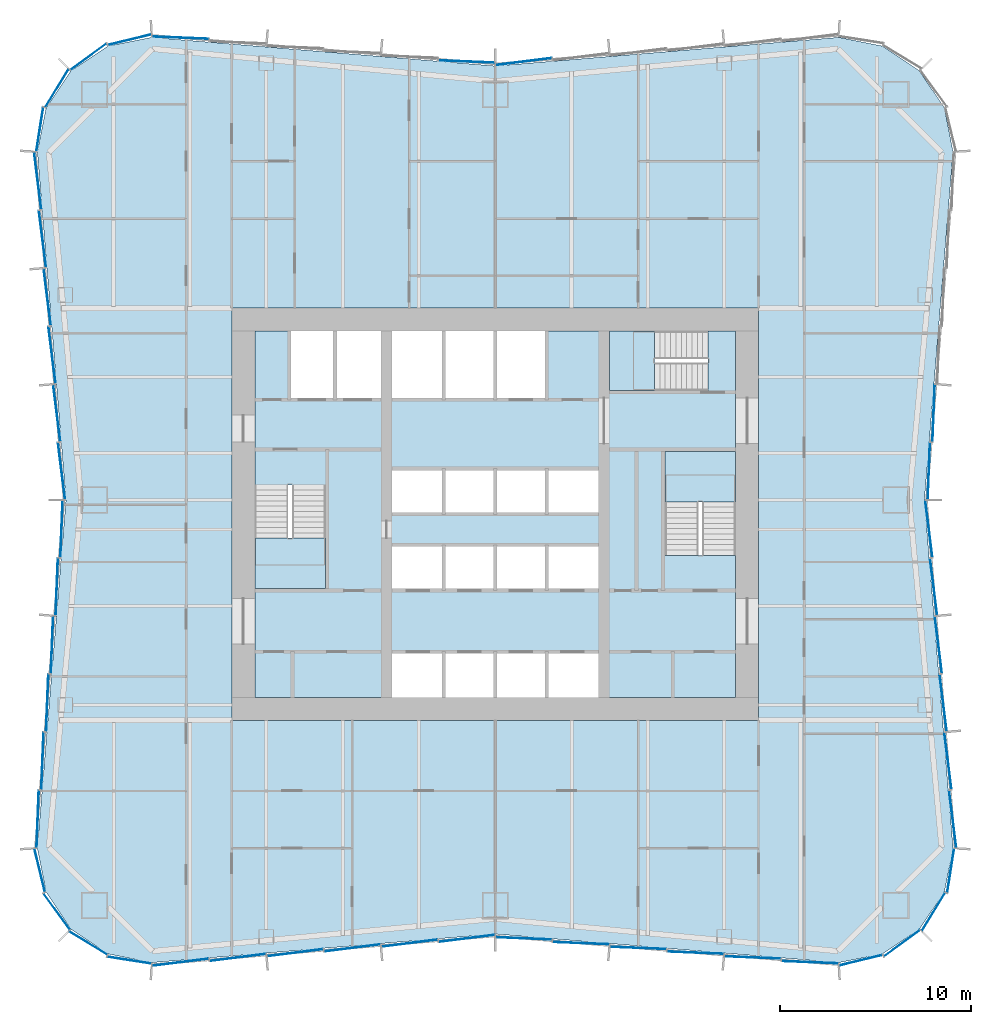
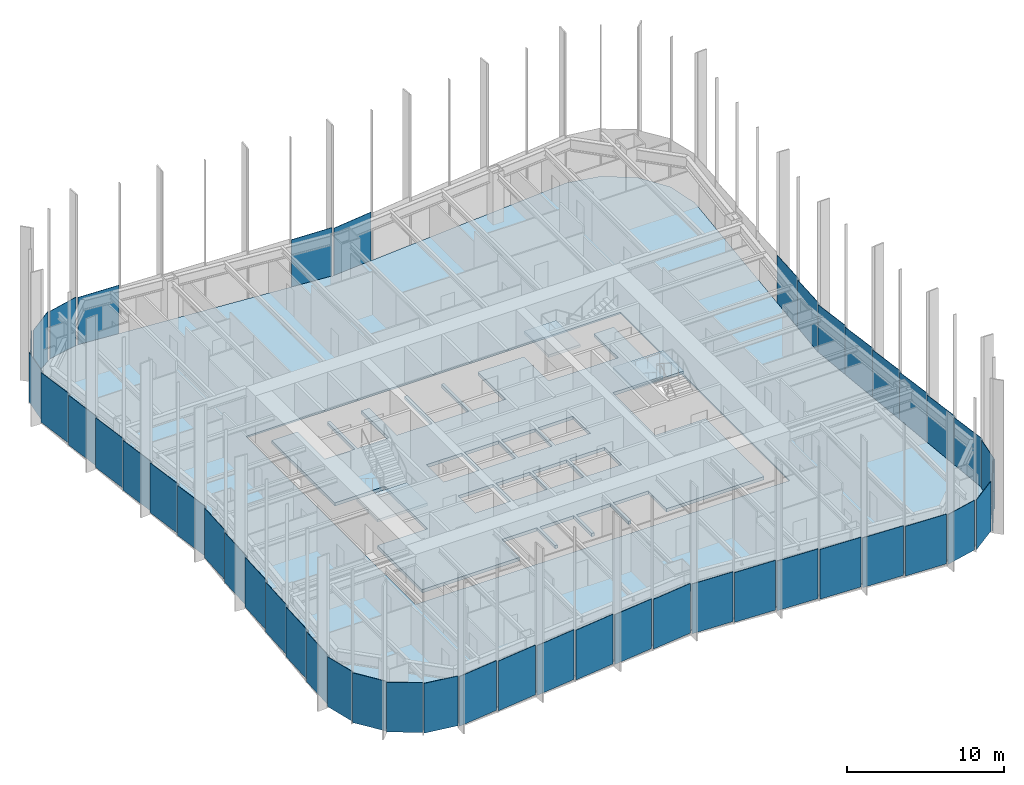
# One storey, part 7 of 13: 47 plates, 5 slabs, 10 elements without a shape of their own.
"""IFC4 building model written with IfcOpenShell, lengths in metres."""

from ifc_helpers import new_model, si_unit, direction, frame, origin, origin_2d, place, context, subcontext, project, spatial, polyline, rectangle, outline, extrude, material, layer, layer_set, type_object, element, aggregate, save


model = new_model("IFC4")

# Units and contexts
model_context = context("Model", 3, precision=1e-05, world=origin(), true_north=direction((0.0, 1.0)))
body_context = subcontext(model_context, "Body", "Model", "MODEL_VIEW")
ifc_project = project(units=[si_unit("LENGTHUNIT", "METRE"), si_unit("AREAUNIT", "SQUARE_METRE"), si_unit("VOLUMEUNIT", "CUBIC_METRE"), si_unit("PLANEANGLEUNIT", "RADIAN"), si_unit("MASSUNIT", "GRAM", prefix="KILO")], contexts=[model_context])

# Site, building, storey
site_placement = place(None, origin())
site = spatial("IfcSite", under=ifc_project, at=site_placement, CompositionType="ELEMENT")
building_placement = place(site_placement, origin())
building = spatial("IfcBuilding", under=site, at=building_placement, Name="Verdant Reach Tower", CompositionType="ELEMENT")
storey_placement = place(building_placement, frame((0.0, 0.0, 70.0)))
storey = spatial("IfcBuildingStorey", under=building, at=storey_placement, Name="L15", CompositionType="ELEMENT", Elevation=70.0)

# Stair, slab
ifc_material_1 = material(Name="Concrete C40/50", Category="concrete")
stair_type = type_object("IfcStairType", Name="CO-STAIR", PredefinedType="HALF_TURN_STAIR", material=ifc_material_1)
stair_1_placement = place(storey_placement, origin())
stair_1 = element("IfcStair", 1, at=stair_1_placement, inside=storey, type_object=stair_type, Name="L15 Exit stair 1", PredefinedType="HALF_TURN_STAIR")
ifc_layer_1 = layer(ifc_material_1, 0.199951171875)
ifc_layer_set_1 = layer_set([ifc_layer_1], Name="CO-STAIR-LANDING")
slab_type_1 = type_object("IfcSlabType", Name="CO-STAIR-LANDING", PredefinedType="LANDING", material=ifc_layer_set_1)
slab_1_placement = place(storey_placement, frame((0.0, 0.0, 1.800048828125)))
slab_1 = element("IfcSlab", 2, at=slab_1_placement, type_object=slab_type_1, Name="ST-1 landing 1", PredefinedType="LANDING", context=body_context, shape_type="SweptSolid", body=[
    extrude(outline(polyline([(-12.60009765625, 26.75), (-12.60009765625, 24.10009765625), (-8.89990234375, 24.10009765625), (-8.89990234375, 26.75), (-12.60009765625, 26.75)])), origin(), (0.0, 0.0, 1.0), 0.199951171875),
])
aggregate(stair_1, [slab_1])

stair_2_placement = place(storey_placement, origin())
stair_2 = element("IfcStair", 3, at=stair_2_placement, inside=storey, type_object=stair_type, Name="L15 Exit stair 2", PredefinedType="HALF_TURN_STAIR")
slab_2_placement = place(storey_placement, frame((0.0, 0.0, 1.800048828125)))
slab_2 = element("IfcSlab", 4, at=slab_2_placement, type_object=slab_type_1, Name="ST-2 landing 1", PredefinedType="LANDING", context=body_context, shape_type="SweptSolid", body=[
    extrude(outline(polyline([(12.60009765625, 28.64990234375), (12.60009765625, 31.300048828125), (8.89990234375, 31.300048828125), (8.89990234375, 28.64990234375), (12.60009765625, 28.64990234375)])), origin(), (0.0, 0.0, 1.0), 0.199951171875),
])
aggregate(stair_2, [slab_2])

stair_3_placement = place(storey_placement, origin())
stair_3 = element("IfcStair", 5, at=stair_3_placement, inside=storey, type_object=stair_type, Name="L15 Exit stair 3", PredefinedType="HALF_TURN_STAIR")
slab_3_placement = place(storey_placement, frame((0.0, 0.0, 1.800048828125)))
slab_3 = element("IfcSlab", 6, at=slab_3_placement, type_object=slab_type_1, Name="ST-3 landing 1", PredefinedType="LANDING", context=body_context, shape_type="SweptSolid", body=[
    extrude(outline(polyline([(8.35009765625, 37.60009765625), (6.0, 37.60009765625), (6.0, 34.5), (8.35009765625, 34.5), (8.35009765625, 37.60009765625)])), origin(), (0.0, 0.0, 1.0), 0.199951171875),
])
aggregate(stair_3, [slab_3])

# Curtain wall, plates
ifc_material_2 = material(Name="Anodised aluminium", Category="aluminium")
curtain_wall_type = type_object("IfcCurtainWallType", Name="EN-CW SYSTEM Z1", PredefinedType="NOTDEFINED", material=ifc_material_2)
curtain_wall_1_placement = place(storey_placement, origin())
curtain_wall_1 = element("IfcCurtainWall", 7, at=curtain_wall_1_placement, inside=storey, type_object=curtain_wall_type, Name="Curtain wall south-east corner, L15", PredefinedType="NOTDEFINED")
ifc_material_3 = material(Name="Tinted glass with champagne spandrel", Category="glass")
ifc_layer_2 = layer(ifc_material_3, 0.031982421875)
ifc_layer_set_2 = layer_set([ifc_layer_2], Name="EN-PANEL CHAMPAGNE")
plate_type_1 = type_object("IfcPlateType", Name="EN-PANEL CHAMPAGNE", PredefinedType="CURTAIN_PANEL", material=ifc_layer_set_2)
plate_1_placement = place(storey_placement, frame((19.170654296875, 4.62939453125, -0.22802734375), z_axis=(0.0, 0.0, 1.0), x_axis=(0.971660685934, 0.236380014828, 0.0)))
plate_1 = element("IfcPlate", 8, at=plate_1_placement, type_object=plate_type_1, Name="Glass panel south-east corner 1.1, L15", PredefinedType="CURTAIN_PANEL", context=body_context, shape_type="SweptSolid", body=[
    extrude(rectangle(XDim=2.317626953125, YDim=0.031982421875, at=origin_2d()), origin(), (0.0, 0.0, 1.0), 3.8779296875),
])
plate_2_placement = place(storey_placement, frame((21.325439453125, 5.52294921875, -0.22802734375), z_axis=(0.0, 0.0, 1.0), x_axis=(0.807456753161, 0.589926768145, 0.0)))
plate_2 = element("IfcPlate", 9, at=plate_2_placement, type_object=plate_type_1, Name="Glass panel south-east corner 2.1, L15", PredefinedType="CURTAIN_PANEL", context=body_context, shape_type="SweptSolid", body=[
    extrude(rectangle(XDim=2.3232421875, YDim=0.031982421875, at=origin_2d()), origin(), (0.0, 0.0, 1.0), 3.8779296875),
])

curtain_wall_2_placement = place(storey_placement, origin())
curtain_wall_2 = element("IfcCurtainWall", 10, at=curtain_wall_2_placement, inside=storey, type_object=curtain_wall_type, Name="Curtain wall east, L15", PredefinedType="NOTDEFINED")
plate_3_placement = place(storey_placement, frame((22.727783203125, 27.2333984375, -0.22802734375), z_axis=(0.0, 0.0, 1.0), x_axis=(-0.123691487663, 0.992320722287, 0.0)))
plate_3 = element("IfcPlate", 11, at=plate_3_placement, type_object=plate_type_1, Name="Glass panel east face part 1 6.1, L15", PredefinedType="CURTAIN_PANEL", context=body_context, shape_type="SweptSolid", body=[
    extrude(rectangle(XDim=2.985595703125, YDim=0.031982421875, at=origin_2d()), origin(), (0.0, 0.0, 1.0), 3.8779296875),
])
plate_4_placement = place(storey_placement, frame((22.727783203125, 30.2666015625, -0.22802734375), z_axis=(0.0, 0.0, 1.0), x_axis=(0.040222426271, 0.99919075077, 0.0)))
plate_4 = element("IfcPlate", 12, at=plate_4_placement, type_object=plate_type_1, Name="Glass panel east face part 2 1.1, L15", PredefinedType="CURTAIN_PANEL", context=body_context, shape_type="SweptSolid", body=[
    extrude(rectangle(XDim=2.985595703125, YDim=0.031982421875, at=origin_2d()), origin(), (0.0, 0.0, 1.0), 3.8779296875),
])

curtain_wall_3_placement = place(storey_placement, origin())
curtain_wall_3 = element("IfcCurtainWall", 13, at=curtain_wall_3_placement, inside=storey, type_object=curtain_wall_type, Name="Curtain wall north, L15", PredefinedType="NOTDEFINED")
plate_5_placement = place(storey_placement, frame((1.49560546875, 51.727783203125, -0.22802734375), z_axis=(0.0, 0.0, 1.0), x_axis=(-0.992179247355, -0.124821236644, 0.0)))
plate_5 = element("IfcPlate", 14, at=plate_5_placement, type_object=plate_type_1, Name="Glass panel north face part 1 6.1, L15", PredefinedType="CURTAIN_PANEL", context=body_context, shape_type="SweptSolid", body=[
    extrude(rectangle(XDim=2.94384765625, YDim=0.031982421875, at=origin_2d()), origin(), (0.0, 0.0, 1.0), 3.8779296875),
])
plate_6_placement = place(storey_placement, frame((-16.49853515625, 52.977783203125, -0.22802734375), z_axis=(0.0, 0.0, 1.0), x_axis=(-0.999162836679, 0.040909971885, 0.0)))
plate_6 = element("IfcPlate", 15, at=plate_6_placement, type_object=plate_type_1, Name="Glass panel north face part 2 6.1, L15", PredefinedType="CURTAIN_PANEL", context=body_context, shape_type="SweptSolid", body=[
    extrude(rectangle(XDim=2.966796875, YDim=0.031982421875, at=origin_2d()), origin(), (0.0, 0.0, 1.0), 3.8779296875),
])

# Curtain wall, plate
curtain_wall_4_placement = place(storey_placement, origin())
curtain_wall_4 = element("IfcCurtainWall", 16, at=curtain_wall_4_placement, inside=storey, type_object=curtain_wall_type, Name="Curtain wall north-west corner, L15", PredefinedType="NOTDEFINED")
plate_7_placement = place(storey_placement, frame((-23.87060546875, 48.170654296875, -0.22802734375), z_axis=(0.0, 0.0, 1.0), x_axis=(-0.154247912016, -0.988032176419, 0.0)))
plate_7 = element("IfcPlate", 17, at=plate_7_placement, type_object=plate_type_1, Name="Glass panel north-west corner 4.1, L15", PredefinedType="CURTAIN_PANEL", context=body_context, shape_type="SweptSolid", body=[
    extrude(rectangle(XDim=2.3173828125, YDim=0.031982421875, at=origin_2d()), origin(), (0.0, 0.0, 1.0), 3.8779296875),
])

# Curtain wall, plates
curtain_wall_5_placement = place(storey_placement, origin())
curtain_wall_5 = element("IfcCurtainWall", 18, at=curtain_wall_5_placement, inside=storey, type_object=curtain_wall_type, Name="Curtain wall west, L15", PredefinedType="NOTDEFINED")
plate_8_placement = place(storey_placement, frame((-23.7275390625, 42.428955078125, -0.22802734375), z_axis=(0.0, 0.0, 1.0), x_axis=(0.123578623975, -0.992334784081, 0.0)))
plate_8 = element("IfcPlate", 19, at=plate_8_placement, type_object=plate_type_1, Name="Glass panel west face part 1 2.1, L15", PredefinedType="CURTAIN_PANEL", context=body_context, shape_type="SweptSolid", body=[
    extrude(rectangle(XDim=2.993896484375, YDim=0.031982421875, at=origin_2d()), origin(), (0.0, 0.0, 1.0), 3.8779296875),
])
plate_9_placement = place(storey_placement, frame((-23.4775390625, 39.387451171875, -0.22802734375), z_axis=(0.0, 0.0, 1.0), x_axis=(0.123578623975, -0.992334784081, 0.0)))
plate_9 = element("IfcPlate", 20, at=plate_9_placement, type_object=plate_type_1, Name="Glass panel west face part 1 3.1, L15", PredefinedType="CURTAIN_PANEL", context=body_context, shape_type="SweptSolid", body=[
    extrude(rectangle(XDim=2.993896484375, YDim=0.031982421875, at=origin_2d()), origin(), (0.0, 0.0, 1.0), 3.8779296875),
])
plate_10_placement = place(storey_placement, frame((-23.2275390625, 36.345703125, -0.22802734375), z_axis=(0.0, 0.0, 1.0), x_axis=(0.123578623975, -0.992334784081, 0.0)))
plate_10 = element("IfcPlate", 21, at=plate_10_placement, type_object=plate_type_1, Name="Glass panel west face part 1 4.1, L15", PredefinedType="CURTAIN_PANEL", context=body_context, shape_type="SweptSolid", body=[
    extrude(rectangle(XDim=2.993896484375, YDim=0.031982421875, at=origin_2d()), origin(), (0.0, 0.0, 1.0), 3.8779296875),
])
plate_11_placement = place(storey_placement, frame((-23.4775390625, 18.112548828125, -0.22802734375), z_axis=(0.0, 0.0, 1.0), x_axis=(-0.040108781752, -0.999195319057, 0.0)))
plate_11 = element("IfcPlate", 22, at=plate_11_placement, type_object=plate_type_1, Name="Glass panel west face part 2 4.1, L15", PredefinedType="CURTAIN_PANEL", context=body_context, shape_type="SweptSolid", body=[
    extrude(rectangle(XDim=2.993896484375, YDim=0.031982421875, at=origin_2d()), origin(), (0.0, 0.0, 1.0), 3.8779296875),
])
plate_12_placement = place(storey_placement, frame((-23.7275390625, 15.071044921875, -0.22802734375), z_axis=(0.0, 0.0, 1.0), x_axis=(-0.040108781752, -0.999195319057, 0.0)))
plate_12 = element("IfcPlate", 23, at=plate_12_placement, type_object=plate_type_1, Name="Glass panel west face part 2 5.1, L15", PredefinedType="CURTAIN_PANEL", context=body_context, shape_type="SweptSolid", body=[
    extrude(rectangle(XDim=2.993896484375, YDim=0.031982421875, at=origin_2d()), origin(), (0.0, 0.0, 1.0), 3.8779296875),
])

curtain_wall_6_placement = place(storey_placement, origin())
curtain_wall_6 = element("IfcCurtainWall", 24, at=curtain_wall_6_placement, inside=storey, type_object=curtain_wall_type, Name="Curtain wall south-west corner, L15", PredefinedType="NOTDEFINED")
plate_13_placement = place(storey_placement, frame((-22.97705078125, 7.174560546875, -0.22802734375), z_axis=(0.0, 0.0, 1.0), x_axis=(0.589926768145, -0.807456753161, 0.0)))
plate_13 = element("IfcPlate", 25, at=plate_13_placement, type_object=plate_type_1, Name="Glass panel south-west corner 2.1, L15", PredefinedType="CURTAIN_PANEL", context=body_context, shape_type="SweptSolid", body=[
    extrude(rectangle(XDim=2.3232421875, YDim=0.031982421875, at=origin_2d()), origin(), (0.0, 0.0, 1.0), 3.8779296875),
])
plate_14_placement = place(storey_placement, frame((-21.325439453125, 5.52294921875, -0.22802734375), z_axis=(0.0, 0.0, 1.0), x_axis=(0.85398868836, -0.520291572248, 0.0)))
plate_14 = element("IfcPlate", 26, at=plate_14_placement, type_object=plate_type_1, Name="Glass panel south-west corner 3.1, L15", PredefinedType="CURTAIN_PANEL", context=body_context, shape_type="SweptSolid", body=[
    extrude(rectangle(XDim=2.3232421875, YDim=0.031982421875, at=origin_2d()), origin(), (0.0, 0.0, 1.0), 3.8779296875),
])
plate_15_placement = place(storey_placement, frame((-19.170654296875, 4.62939453125, -0.22802734375), z_axis=(0.0, 0.0, 1.0), x_axis=(0.988032704995, -0.154244526195, 0.0)))
plate_15 = element("IfcPlate", 27, at=plate_15_placement, type_object=plate_type_1, Name="Glass panel south-west corner 4.1, L15", PredefinedType="CURTAIN_PANEL", context=body_context, shape_type="SweptSolid", body=[
    extrude(rectangle(XDim=2.317626953125, YDim=0.031982421875, at=origin_2d()), origin(), (0.0, 0.0, 1.0), 3.8779296875),
])

curtain_wall_7_placement = place(storey_placement, origin())
curtain_wall_7 = element("IfcCurtainWall", 28, at=curtain_wall_7_placement, inside=storey, type_object=curtain_wall_type, Name="Curtain wall south, L15", PredefinedType="NOTDEFINED")
plate_16_placement = place(storey_placement, frame((-16.49853515625, 4.522216796875, -0.22802734375), z_axis=(0.0, 0.0, 1.0), x_axis=(0.99223537376, 0.124374286167, 0.0)))
plate_16 = element("IfcPlate", 29, at=plate_16_placement, type_object=plate_type_1, Name="Glass panel south face part 1 1.1, L15", PredefinedType="CURTAIN_PANEL", context=body_context, shape_type="SweptSolid", body=[
    extrude(rectangle(XDim=2.966796875, YDim=0.031982421875, at=origin_2d()), origin(), (0.0, 0.0, 1.0), 3.8779296875),
])
plate_17_placement = place(storey_placement, frame((-13.491455078125, 4.7724609375, -0.22802734375), z_axis=(0.0, 0.0, 1.0), x_axis=(0.992194034542, 0.124703639961, 0.0)))
plate_17 = element("IfcPlate", 30, at=plate_17_placement, type_object=plate_type_1, Name="Glass panel south face part 1 2.1, L15", PredefinedType="CURTAIN_PANEL", context=body_context, shape_type="SweptSolid", body=[
    extrude(rectangle(XDim=2.952392578125, YDim=0.031982421875, at=origin_2d()), origin(), (0.0, 0.0, 1.0), 3.8779296875),
])
plate_18_placement = place(storey_placement, frame((4.491455078125, 5.5224609375, -0.22802734375), z_axis=(0.0, 0.0, 1.0), x_axis=(0.999149202059, -0.041241629766, 0.0)))
plate_18 = element("IfcPlate", 31, at=plate_18_placement, type_object=plate_type_1, Name="Glass panel south face part 2 2.1, L15", PredefinedType="CURTAIN_PANEL", context=body_context, shape_type="SweptSolid", body=[
    extrude(rectangle(XDim=2.952392578125, YDim=0.031982421875, at=origin_2d()), origin(), (0.0, 0.0, 1.0), 3.8779296875),
])
plate_19_placement = place(storey_placement, frame((7.491455078125, 5.2724609375, -0.22802734375), z_axis=(0.0, 0.0, 1.0), x_axis=(0.999149202059, -0.041241629766, 0.0)))
plate_19 = element("IfcPlate", 32, at=plate_19_placement, type_object=plate_type_1, Name="Glass panel south face part 2 3.1, L15", PredefinedType="CURTAIN_PANEL", context=body_context, shape_type="SweptSolid", body=[
    extrude(rectangle(XDim=2.952392578125, YDim=0.031982421875, at=origin_2d()), origin(), (0.0, 0.0, 1.0), 3.8779296875),
])

# Plate
ifc_material_4 = material(Name="Tinted glass with copper spandrel", Category="glass")
ifc_layer_3 = layer(ifc_material_4, 0.031982421875)
ifc_layer_set_3 = layer_set([ifc_layer_3], Name="EN-PANEL COPPER")
plate_type_2 = type_object("IfcPlateType", Name="EN-PANEL COPPER", PredefinedType="CURTAIN_PANEL", material=ifc_layer_set_3)
plate_20_placement = place(storey_placement, frame((22.97705078125, 7.174560546875, -0.22802734375), z_axis=(0.0, 0.0, 1.0), x_axis=(0.520291572248, 0.85398868836, 0.0)))
plate_20 = element("IfcPlate", 33, at=plate_20_placement, type_object=plate_type_2, Name="Glass panel south-east corner 3.1, L15", PredefinedType="CURTAIN_PANEL", context=body_context, shape_type="SweptSolid", body=[
    extrude(rectangle(XDim=2.3232421875, YDim=0.031982421875, at=origin_2d()), origin(), (0.0, 0.0, 1.0), 3.8779296875),
])

plate_21_placement = place(storey_placement, frame((23.87060546875, 9.329345703125, -0.22802734375), z_axis=(0.0, 0.0, 1.0), x_axis=(0.154247912016, 0.988032176419, 0.0)))
plate_21 = element("IfcPlate", 34, at=plate_21_placement, type_object=plate_type_2, Name="Glass panel south-east corner 4.1, L15", PredefinedType="CURTAIN_PANEL", context=body_context, shape_type="SweptSolid", body=[
    extrude(rectangle(XDim=2.3173828125, YDim=0.031982421875, at=origin_2d()), origin(), (0.0, 0.0, 1.0), 3.8779296875),
])

aggregate(curtain_wall_1, [plate_1, plate_2, plate_20, plate_21])

plate_22_placement = place(storey_placement, frame((23.977783203125, 12.022216796875, -0.22802734375), z_axis=(0.0, 0.0, 1.0), x_axis=(-0.123256305275, 0.992374870304, 0.0)))
plate_22 = element("IfcPlate", 35, at=plate_22_placement, type_object=plate_type_2, Name="Glass panel east face part 1 1.1, L15", PredefinedType="CURTAIN_PANEL", context=body_context, shape_type="SweptSolid", body=[
    extrude(rectangle(XDim=3.00830078125, YDim=0.031982421875, at=origin_2d()), origin(), (0.0, 0.0, 1.0), 3.8779296875),
])

plate_23_placement = place(storey_placement, frame((23.7275390625, 15.071044921875, -0.22802734375), z_axis=(0.0, 0.0, 1.0), x_axis=(-0.123578623975, 0.992334784081, 0.0)))
plate_23 = element("IfcPlate", 36, at=plate_23_placement, type_object=plate_type_2, Name="Glass panel east face part 1 2.1, L15", PredefinedType="CURTAIN_PANEL", context=body_context, shape_type="SweptSolid", body=[
    extrude(rectangle(XDim=2.993896484375, YDim=0.031982421875, at=origin_2d()), origin(), (0.0, 0.0, 1.0), 3.8779296875),
])

plate_24_placement = place(storey_placement, frame((22.9775390625, 33.303955078125, -0.22802734375), z_axis=(0.0, 0.0, 1.0), x_axis=(0.040108781752, 0.999195319057, 0.0)))
plate_24 = element("IfcPlate", 37, at=plate_24_placement, type_object=plate_type_2, Name="Glass panel east face part 2 2.1, L15", PredefinedType="CURTAIN_PANEL", context=body_context, shape_type="SweptSolid", body=[
    extrude(rectangle(XDim=2.993896484375, YDim=0.031982421875, at=origin_2d()), origin(), (0.0, 0.0, 1.0), 3.8779296875),
])

plate_25_placement = place(storey_placement, frame((-1.49560546875, 51.727783203125, -0.22802734375), z_axis=(0.0, 0.0, 1.0), x_axis=(-0.99914430697, 0.041360051381, 0.0)))
plate_25 = element("IfcPlate", 38, at=plate_25_placement, type_object=plate_type_2, Name="Glass panel north face part 2 1.1, L15", PredefinedType="CURTAIN_PANEL", context=body_context, shape_type="SweptSolid", body=[
    extrude(rectangle(XDim=2.94384765625, YDim=0.031982421875, at=origin_2d()), origin(), (0.0, 0.0, 1.0), 3.8779296875),
])

aggregate(curtain_wall_3, [plate_5, plate_25, plate_6])

plate_26_placement = place(storey_placement, frame((-19.170654296875, 52.87060546875, -0.22802734375), z_axis=(0.0, 0.0, 1.0), x_axis=(-0.971660685934, -0.236380014828, 0.0)))
plate_26 = element("IfcPlate", 39, at=plate_26_placement, type_object=plate_type_2, Name="Glass panel north-west corner 1.1, L15", PredefinedType="CURTAIN_PANEL", context=body_context, shape_type="SweptSolid", body=[
    extrude(rectangle(XDim=2.317626953125, YDim=0.031982421875, at=origin_2d()), origin(), (0.0, 0.0, 1.0), 3.8779296875),
])

plate_27_placement = place(storey_placement, frame((-22.9775390625, 33.303955078125, -0.22802734375), z_axis=(0.0, 0.0, 1.0), x_axis=(0.123578623975, -0.992334784081, 0.0)))
plate_27 = element("IfcPlate", 40, at=plate_27_placement, type_object=plate_type_2, Name="Glass panel west face part 1 5.1, L15", PredefinedType="CURTAIN_PANEL", context=body_context, shape_type="SweptSolid", body=[
    extrude(rectangle(XDim=2.993896484375, YDim=0.031982421875, at=origin_2d()), origin(), (0.0, 0.0, 1.0), 3.8779296875),
])

plate_28_placement = place(storey_placement, frame((-22.727783203125, 30.2666015625, -0.22802734375), z_axis=(0.0, 0.0, 1.0), x_axis=(0.123691487663, -0.992320722287, 0.0)))
plate_28 = element("IfcPlate", 41, at=plate_28_placement, type_object=plate_type_2, Name="Glass panel west face part 1 6.1, L15", PredefinedType="CURTAIN_PANEL", context=body_context, shape_type="SweptSolid", body=[
    extrude(rectangle(XDim=2.985595703125, YDim=0.031982421875, at=origin_2d()), origin(), (0.0, 0.0, 1.0), 3.8779296875),
])

plate_29_placement = place(storey_placement, frame((-23.977783203125, 12.022216796875, -0.22802734375), z_axis=(0.0, 0.0, 1.0), x_axis=(-0.039784239139, -0.999208293759, 0.0)))
plate_29 = element("IfcPlate", 42, at=plate_29_placement, type_object=plate_type_2, Name="Glass panel west face part 2 6.1, L15", PredefinedType="CURTAIN_PANEL", context=body_context, shape_type="SweptSolid", body=[
    extrude(rectangle(XDim=3.00830078125, YDim=0.031982421875, at=origin_2d()), origin(), (0.0, 0.0, 1.0), 3.8779296875),
])

plate_30_placement = place(storey_placement, frame((-10.491455078125, 5.0224609375, -0.22802734375), z_axis=(0.0, 0.0, 1.0), x_axis=(0.992194034542, 0.124703639961, 0.0)))
plate_30 = element("IfcPlate", 43, at=plate_30_placement, type_object=plate_type_2, Name="Glass panel south face part 1 3.1, L15", PredefinedType="CURTAIN_PANEL", context=body_context, shape_type="SweptSolid", body=[
    extrude(rectangle(XDim=2.952392578125, YDim=0.031982421875, at=origin_2d()), origin(), (0.0, 0.0, 1.0), 3.8779296875),
])

plate_31_placement = place(storey_placement, frame((-7.491455078125, 5.2724609375, -0.22802734375), z_axis=(0.0, 0.0, 1.0), x_axis=(0.992194034542, 0.124703639961, 0.0)))
plate_31 = element("IfcPlate", 44, at=plate_31_placement, type_object=plate_type_2, Name="Glass panel south face part 1 4.1, L15", PredefinedType="CURTAIN_PANEL", context=body_context, shape_type="SweptSolid", body=[
    extrude(rectangle(XDim=2.952392578125, YDim=0.031982421875, at=origin_2d()), origin(), (0.0, 0.0, 1.0), 3.8779296875),
])

plate_32_placement = place(storey_placement, frame((10.491455078125, 5.0224609375, -0.22802734375), z_axis=(0.0, 0.0, 1.0), x_axis=(0.999149202059, -0.041241629766, 0.0)))
plate_32 = element("IfcPlate", 45, at=plate_32_placement, type_object=plate_type_2, Name="Glass panel south face part 2 4.1, L15", PredefinedType="CURTAIN_PANEL", context=body_context, shape_type="SweptSolid", body=[
    extrude(rectangle(XDim=2.952392578125, YDim=0.031982421875, at=origin_2d()), origin(), (0.0, 0.0, 1.0), 3.8779296875),
])

plate_33_placement = place(storey_placement, frame((13.491455078125, 4.7724609375, -0.22802734375), z_axis=(0.0, 0.0, 1.0), x_axis=(0.999149202059, -0.041241629766, 0.0)))
plate_33 = element("IfcPlate", 46, at=plate_33_placement, type_object=plate_type_2, Name="Glass panel south face part 2 5.1, L15", PredefinedType="CURTAIN_PANEL", context=body_context, shape_type="SweptSolid", body=[
    extrude(rectangle(XDim=2.952392578125, YDim=0.031982421875, at=origin_2d()), origin(), (0.0, 0.0, 1.0), 3.8779296875),
])

plate_34_placement = place(storey_placement, frame((16.49853515625, 4.522216796875, -0.22802734375), z_axis=(0.0, 0.0, 1.0), x_axis=(0.999162836679, -0.040909971885, 0.0)))
plate_34 = element("IfcPlate", 47, at=plate_34_placement, type_object=plate_type_2, Name="Glass panel south face part 2 6.1, L15", PredefinedType="CURTAIN_PANEL", context=body_context, shape_type="SweptSolid", body=[
    extrude(rectangle(XDim=2.966796875, YDim=0.031982421875, at=origin_2d()), origin(), (0.0, 0.0, 1.0), 3.8779296875),
])

ifc_material_5 = material(Name="Tinted glass with dark bronze spandrel", Category="glass")
ifc_layer_4 = layer(ifc_material_5, 0.031982421875)
ifc_layer_set_4 = layer_set([ifc_layer_4], Name="EN-PANEL DARK")
plate_type_3 = type_object("IfcPlateType", Name="EN-PANEL DARK", PredefinedType="CURTAIN_PANEL", material=ifc_layer_set_4)
plate_35_placement = place(storey_placement, frame((23.4775390625, 18.112548828125, -0.22802734375), z_axis=(0.0, 0.0, 1.0), x_axis=(-0.123578623975, 0.992334784081, 0.0)))
plate_35 = element("IfcPlate", 48, at=plate_35_placement, type_object=plate_type_3, Name="Glass panel east face part 1 3.1, L15", PredefinedType="CURTAIN_PANEL", context=body_context, shape_type="SweptSolid", body=[
    extrude(rectangle(XDim=2.993896484375, YDim=0.031982421875, at=origin_2d()), origin(), (0.0, 0.0, 1.0), 3.8779296875),
])

plate_36_placement = place(storey_placement, frame((23.2275390625, 21.154296875, -0.22802734375), z_axis=(0.0, 0.0, 1.0), x_axis=(-0.123578623975, 0.992334784081, 0.0)))
plate_36 = element("IfcPlate", 49, at=plate_36_placement, type_object=plate_type_3, Name="Glass panel east face part 1 4.1, L15", PredefinedType="CURTAIN_PANEL", context=body_context, shape_type="SweptSolid", body=[
    extrude(rectangle(XDim=2.993896484375, YDim=0.031982421875, at=origin_2d()), origin(), (0.0, 0.0, 1.0), 3.8779296875),
])

plate_37_placement = place(storey_placement, frame((22.9775390625, 24.196044921875, -0.22802734375), z_axis=(0.0, 0.0, 1.0), x_axis=(-0.123578623975, 0.992334784081, 0.0)))
plate_37 = element("IfcPlate", 50, at=plate_37_placement, type_object=plate_type_3, Name="Glass panel east face part 1 5.1, L15", PredefinedType="CURTAIN_PANEL", context=body_context, shape_type="SweptSolid", body=[
    extrude(rectangle(XDim=2.993896484375, YDim=0.031982421875, at=origin_2d()), origin(), (0.0, 0.0, 1.0), 3.8779296875),
])

aggregate(curtain_wall_2, [plate_22, plate_23, plate_35, plate_36, plate_37, plate_3, plate_4, plate_24])

plate_38_placement = place(storey_placement, frame((-21.325439453125, 51.97705078125, -0.22802734375), z_axis=(0.0, 0.0, 1.0), x_axis=(-0.807456753161, -0.589926768145, 0.0)))
plate_38 = element("IfcPlate", 51, at=plate_38_placement, type_object=plate_type_3, Name="Glass panel north-west corner 2.1, L15", PredefinedType="CURTAIN_PANEL", context=body_context, shape_type="SweptSolid", body=[
    extrude(rectangle(XDim=2.3232421875, YDim=0.031982421875, at=origin_2d()), origin(), (0.0, 0.0, 1.0), 3.8779296875),
])

plate_39_placement = place(storey_placement, frame((-22.97705078125, 50.325439453125, -0.22802734375), z_axis=(0.0, 0.0, 1.0), x_axis=(-0.520291572248, -0.85398868836, 0.0)))
plate_39 = element("IfcPlate", 52, at=plate_39_placement, type_object=plate_type_3, Name="Glass panel north-west corner 3.1, L15", PredefinedType="CURTAIN_PANEL", context=body_context, shape_type="SweptSolid", body=[
    extrude(rectangle(XDim=2.3232421875, YDim=0.031982421875, at=origin_2d()), origin(), (0.0, 0.0, 1.0), 3.8779296875),
])

aggregate(curtain_wall_4, [plate_26, plate_38, plate_39, plate_7])

plate_40_placement = place(storey_placement, frame((-23.977783203125, 45.477783203125, -0.22802734375), z_axis=(0.0, 0.0, 1.0), x_axis=(0.123256305275, -0.992374870304, 0.0)))
plate_40 = element("IfcPlate", 53, at=plate_40_placement, type_object=plate_type_3, Name="Glass panel west face part 1 1.1, L15", PredefinedType="CURTAIN_PANEL", context=body_context, shape_type="SweptSolid", body=[
    extrude(rectangle(XDim=3.00830078125, YDim=0.031982421875, at=origin_2d()), origin(), (0.0, 0.0, 1.0), 3.8779296875),
])

plate_41_placement = place(storey_placement, frame((-22.727783203125, 27.2333984375, -0.22802734375), z_axis=(0.0, 0.0, 1.0), x_axis=(-0.040222426271, -0.99919075077, 0.0)))
plate_41 = element("IfcPlate", 54, at=plate_41_placement, type_object=plate_type_3, Name="Glass panel west face part 2 1.1, L15", PredefinedType="CURTAIN_PANEL", context=body_context, shape_type="SweptSolid", body=[
    extrude(rectangle(XDim=2.985595703125, YDim=0.031982421875, at=origin_2d()), origin(), (0.0, 0.0, 1.0), 3.8779296875),
])

plate_42_placement = place(storey_placement, frame((-22.9775390625, 24.196044921875, -0.22802734375), z_axis=(0.0, 0.0, 1.0), x_axis=(-0.040108781752, -0.999195319057, 0.0)))
plate_42 = element("IfcPlate", 55, at=plate_42_placement, type_object=plate_type_3, Name="Glass panel west face part 2 2.1, L15", PredefinedType="CURTAIN_PANEL", context=body_context, shape_type="SweptSolid", body=[
    extrude(rectangle(XDim=2.993896484375, YDim=0.031982421875, at=origin_2d()), origin(), (0.0, 0.0, 1.0), 3.8779296875),
])

plate_43_placement = place(storey_placement, frame((-23.2275390625, 21.154296875, -0.22802734375), z_axis=(0.0, 0.0, 1.0), x_axis=(-0.040108781752, -0.999195319057, 0.0)))
plate_43 = element("IfcPlate", 56, at=plate_43_placement, type_object=plate_type_3, Name="Glass panel west face part 2 3.1, L15", PredefinedType="CURTAIN_PANEL", context=body_context, shape_type="SweptSolid", body=[
    extrude(rectangle(XDim=2.993896484375, YDim=0.031982421875, at=origin_2d()), origin(), (0.0, 0.0, 1.0), 3.8779296875),
])

aggregate(curtain_wall_5, [plate_40, plate_8, plate_9, plate_10, plate_27, plate_28, plate_41, plate_42, plate_43, plate_11, plate_12, plate_29])

plate_44_placement = place(storey_placement, frame((-23.87060546875, 9.329345703125, -0.22802734375), z_axis=(0.0, 0.0, 1.0), x_axis=(0.236383344544, -0.971659875894, 0.0)))
plate_44 = element("IfcPlate", 57, at=plate_44_placement, type_object=plate_type_3, Name="Glass panel south-west corner 1.1, L15", PredefinedType="CURTAIN_PANEL", context=body_context, shape_type="SweptSolid", body=[
    extrude(rectangle(XDim=2.3173828125, YDim=0.031982421875, at=origin_2d()), origin(), (0.0, 0.0, 1.0), 3.8779296875),
])

aggregate(curtain_wall_6, [plate_44, plate_13, plate_14, plate_15])

plate_45_placement = place(storey_placement, frame((-4.491455078125, 5.5224609375, -0.22802734375), z_axis=(0.0, 0.0, 1.0), x_axis=(0.992194034542, 0.124703639961, 0.0)))
plate_45 = element("IfcPlate", 58, at=plate_45_placement, type_object=plate_type_3, Name="Glass panel south face part 1 5.1, L15", PredefinedType="CURTAIN_PANEL", context=body_context, shape_type="SweptSolid", body=[
    extrude(rectangle(XDim=2.952392578125, YDim=0.031982421875, at=origin_2d()), origin(), (0.0, 0.0, 1.0), 3.8779296875),
])

plate_46_placement = place(storey_placement, frame((-1.49560546875, 5.772216796875, -0.22802734375), z_axis=(0.0, 0.0, 1.0), x_axis=(0.992179247355, 0.124821236644, 0.0)))
plate_46 = element("IfcPlate", 59, at=plate_46_placement, type_object=plate_type_3, Name="Glass panel south face part 1 6.1, L15", PredefinedType="CURTAIN_PANEL", context=body_context, shape_type="SweptSolid", body=[
    extrude(rectangle(XDim=2.94384765625, YDim=0.031982421875, at=origin_2d()), origin(), (0.0, 0.0, 1.0), 3.8779296875),
])

plate_47_placement = place(storey_placement, frame((1.49560546875, 5.772216796875, -0.22802734375), z_axis=(0.0, 0.0, 1.0), x_axis=(0.99914430697, -0.041360051381, 0.0)))
plate_47 = element("IfcPlate", 60, at=plate_47_placement, type_object=plate_type_3, Name="Glass panel south face part 2 1.1, L15", PredefinedType="CURTAIN_PANEL", context=body_context, shape_type="SweptSolid", body=[
    extrude(rectangle(XDim=2.94384765625, YDim=0.031982421875, at=origin_2d()), origin(), (0.0, 0.0, 1.0), 3.8779296875),
])

aggregate(curtain_wall_7, [plate_16, plate_17, plate_30, plate_31, plate_45, plate_46, plate_47, plate_18, plate_19, plate_32, plate_33, plate_34])

# Slabs
ifc_material_6 = material(Name="Concrete C35/45", Category="concrete")
ifc_layer_5 = layer(ifc_material_6, 0.1298828125)
ifc_layer_set_5 = layer_set([ifc_layer_5], Name="ST-SLAB-130")
slab_type_2 = type_object("IfcSlabType", Name="ST-SLAB-130", PredefinedType="FLOOR", material=ifc_layer_set_5)
slab_4_placement = place(storey_placement, frame((0.0, 0.0, -0.1298828125)))
element("IfcSlab", 61, at=slab_4_placement, inside=storey, type_object=slab_type_2, Name="Floor slab L15", PredefinedType="FLOOR", context=body_context, shape_type="SweptSolid", body=[
    extrude(outline(polyline([(0.0, 6.0), (-18.0, 4.5), (-20.296142578125, 4.956787109375), (-22.24267578125, 6.25732421875), (-23.543212890625, 8.203857421875), (-24.0, 10.5), (-22.5, 28.75), (-24.0, 47.0), (-23.543212890625, 49.296142578125), (-22.24267578125, 51.24267578125), (-20.296142578125, 52.543212890625), (-18.0, 53.0), (0.0, 51.5), (18.0, 53.0), (20.296142578125, 52.543212890625), (22.24267578125, 51.24267578125), (23.543212890625, 49.296142578125), (24.0, 47.0), (22.5, 28.75), (24.0, 10.5), (23.543212890625, 8.203857421875), (22.24267578125, 6.25732421875), (20.296142578125, 4.956787109375), (18.0, 4.5), (0.0, 6.0)]), holes=[polyline([(13.800048828125, 38.800048828125), (-13.800048828125, 38.800048828125), (-13.800048828125, 17.199951171875), (13.800048828125, 17.199951171875), (13.800048828125, 38.800048828125)])]), origin(), (0.0, 0.0, 1.0), 0.1298828125),
])
ifc_layer_6 = layer(ifc_material_6, 0.25)
ifc_layer_set_6 = layer_set([ifc_layer_6], Name="ST-SLAB-250")
slab_type_3 = type_object("IfcSlabType", Name="ST-SLAB-250", PredefinedType="FLOOR", material=ifc_layer_set_6)
slab_5_placement = place(storey_placement, frame((0.0, 0.0, -0.25)))
element("IfcSlab", 62, at=slab_5_placement, inside=storey, type_object=slab_type_3, Name="Core floor slab L15", PredefinedType="FLOOR", context=body_context, shape_type="SweptSolid", body=[
    extrude(outline(polyline([(12.60009765625, 18.39990234375), (5.39990234375, 18.39990234375), (5.39990234375, 20.699951171875), (2.800048828125, 20.699951171875), (2.800048828125, 18.39990234375), (2.60009765625, 18.39990234375), (2.60009765625, 20.699951171875), (0.10009765625, 20.699951171875), (0.10009765625, 18.39990234375), (-0.10009765625, 18.39990234375), (-0.10009765625, 20.699951171875), (-2.60009765625, 20.699951171875), (-2.60009765625, 18.39990234375), (-2.800048828125, 18.39990234375), (-2.800048828125, 20.699951171875), (-5.39990234375, 20.699951171875), (-5.39990234375, 18.39990234375), (-12.60009765625, 18.39990234375), (-12.60009765625, 24.10009765625), (-8.89990234375, 24.10009765625), (-8.89990234375, 29.548095703125), (-12.60009765625, 29.548095703125), (-12.60009765625, 37.60009765625), (-10.699951171875, 37.60009765625), (-10.699951171875, 34.10009765625), (-8.5, 34.10009765625), (-8.5, 37.60009765625), (-8.300048828125, 37.60009765625), (-8.300048828125, 34.10009765625), (-6.0, 34.10009765625), (-6.0, 37.60009765625), (-5.39990234375, 37.60009765625), (-5.39990234375, 34.10009765625), (-2.800048828125, 34.10009765625), (-2.800048828125, 37.60009765625), (-2.60009765625, 37.60009765625), (-2.60009765625, 34.10009765625), (-0.10009765625, 34.10009765625), (-0.10009765625, 37.60009765625), (0.10009765625, 37.60009765625), (0.10009765625, 34.10009765625), (2.60009765625, 34.10009765625), (2.60009765625, 37.60009765625), (6.0, 37.60009765625), (6.0, 34.5), (11.14794921875, 34.5), (11.14794921875, 37.60009765625), (12.60009765625, 37.60009765625), (12.60009765625, 31.300048828125), (8.89990234375, 31.300048828125), (8.89990234375, 25.85205078125), (12.60009765625, 25.85205078125), (12.60009765625, 18.39990234375)]), holes=[polyline([(-2.800048828125, 24.10009765625), (-2.800048828125, 26.300048828125), (-5.39990234375, 26.300048828125), (-5.39990234375, 24.10009765625), (-2.800048828125, 24.10009765625)]), polyline([(-2.60009765625, 24.10009765625), (-0.10009765625, 24.10009765625), (-0.10009765625, 26.300048828125), (-2.60009765625, 26.300048828125), (-2.60009765625, 24.10009765625)]), polyline([(-2.800048828125, 28.10009765625), (-2.800048828125, 30.300048828125), (-5.39990234375, 30.300048828125), (-5.39990234375, 28.10009765625), (-2.800048828125, 28.10009765625)]), polyline([(-0.10009765625, 28.10009765625), (-0.10009765625, 30.300048828125), (-2.60009765625, 30.300048828125), (-2.60009765625, 28.10009765625), (-0.10009765625, 28.10009765625)]), polyline([(2.60009765625, 24.10009765625), (2.60009765625, 26.300048828125), (0.10009765625, 26.300048828125), (0.10009765625, 24.10009765625), (2.60009765625, 24.10009765625)]), polyline([(2.800048828125, 24.10009765625), (5.39990234375, 24.10009765625), (5.39990234375, 26.300048828125), (2.800048828125, 26.300048828125), (2.800048828125, 24.10009765625)]), polyline([(2.60009765625, 28.10009765625), (2.60009765625, 30.300048828125), (0.10009765625, 30.300048828125), (0.10009765625, 28.10009765625), (2.60009765625, 28.10009765625)]), polyline([(5.39990234375, 28.10009765625), (5.39990234375, 30.300048828125), (2.800048828125, 30.300048828125), (2.800048828125, 28.10009765625), (5.39990234375, 28.10009765625)])]), origin(), (0.0, 0.0, 1.0), 0.25),
])

save(model, "model.ifc")
